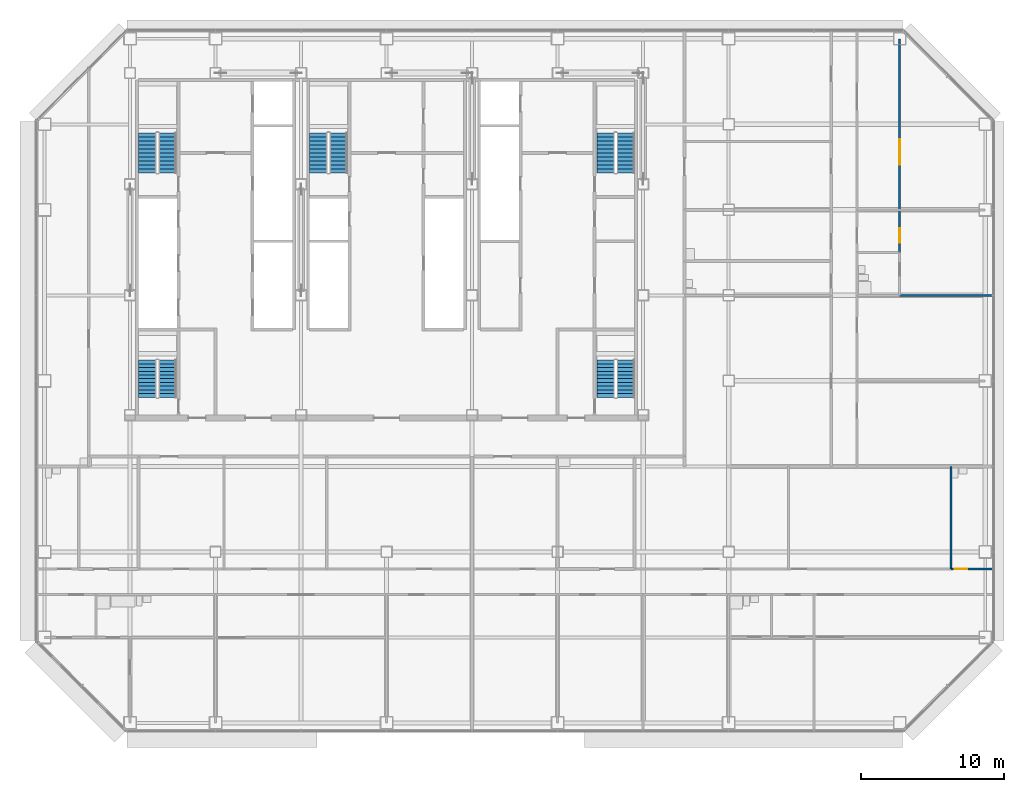
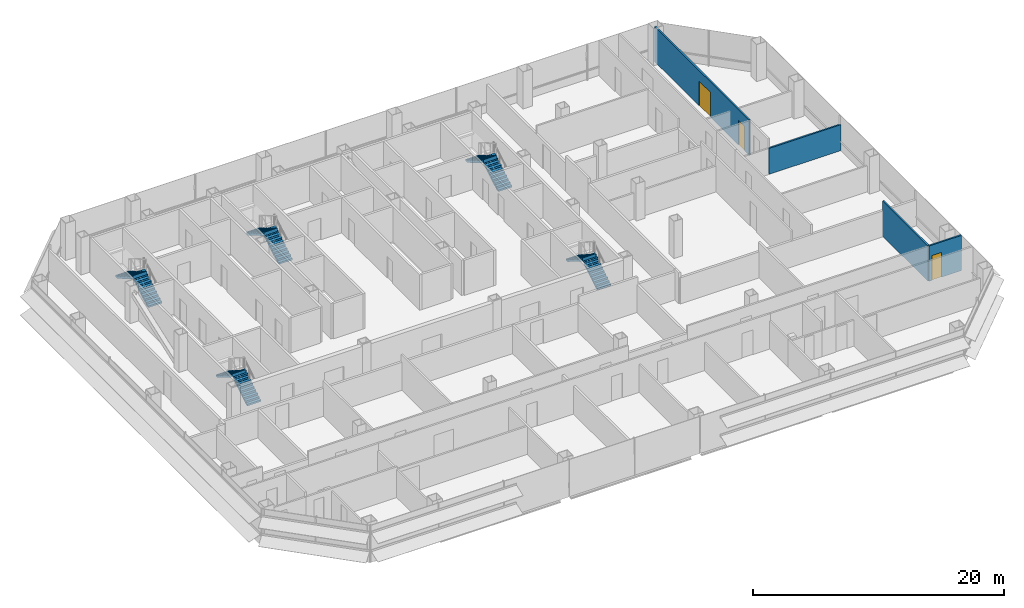
# One storey, part 24 of 27: 10 stair flights, 4 walls, 3 doors, 3 openings, 5 elements without a shape of their own.
"""IFC4 building model written with IfcOpenShell, lengths in metres."""

from ifc_helpers import new_model, si_unit, direction, frame, frame_2d, origin, place, context, subcontext, project, spatial, polyline, rectangle, outline, extrude, material, layer, layer_set, type_object, element, fill, aggregate, save


model = new_model("IFC4")

# Units and contexts
model_context = context("Model", 3, precision=1e-05, world=origin(), true_north=direction((0.0, 1.0)))
body_context = subcontext(model_context, "Body", "Model", "MODEL_VIEW")
ifc_project = project(units=[si_unit("LENGTHUNIT", "METRE"), si_unit("AREAUNIT", "SQUARE_METRE"), si_unit("VOLUMEUNIT", "CUBIC_METRE"), si_unit("PLANEANGLEUNIT", "RADIAN"), si_unit("MASSUNIT", "GRAM", prefix="KILO")], contexts=[model_context])

# Site, building, storey
site_placement = place(None, origin())
site = spatial("IfcSite", under=ifc_project, at=site_placement, CompositionType="ELEMENT")
building_placement = place(site_placement, origin())
building = spatial("IfcBuilding", under=site, at=building_placement, Name="Sorahane Residences", CompositionType="ELEMENT")
storey_placement = place(building_placement, frame((0.0, 0.0, 78.60009765625)))
storey = spatial("IfcBuildingStorey", under=building, at=storey_placement, Name="L16", CompositionType="ELEMENT", Elevation=78.60009765625)

# Wall, openings, doors
ifc_material_1 = material(Name="Gypsum board partition on steel studs", Category="steel")
ifc_layer_1 = layer(ifc_material_1, 0.14990234375)
ifc_layer_set_1 = layer_set([ifc_layer_1], Name="Partition 150 EI 90")
wall_type_1 = type_object("IfcWallType", Name="Partition 150 EI 90", PredefinedType="PARTITIONING", material=ifc_layer_set_1)
wall_1_placement = place(storey_placement, frame((60.0, 33.0, 0.0), z_axis=(0.0, 0.0, 1.0), x_axis=(0.0, 1.0, 0.0)))
wall_1 = element("IfcWall", 1, at=wall_1_placement, inside=storey, type_object=wall_type_1, Name="L16 partition", PredefinedType="PARTITIONING", context=body_context, shape_type="SweptSolid", body=[
    extrude(rectangle(XDim=15.0, YDim=0.14990234375, at=frame_2d((7.5, 0.0))), origin(), (0.0, 0.0, 1.0), 3.419921875),
])
opening_1_placement = place(wall_1_placement, frame((0.699951171875, 0.0, 0.0)))
opening_1 = element("IfcOpeningElement", 2, at=opening_1_placement, cuts=wall_1, Name="Opening L16-35", PredefinedType="OPENING", context=body_context, shape_type="SweptSolid", body=[
    extrude(rectangle(XDim=1.0, YDim=2.39990234375, at=frame_2d((0.5, 1.199951171875))), frame((0.0, 0.0849609375, 0.0), z_axis=(0.0, -1.0, 0.0), x_axis=(1.0, 0.0, 0.0)), (0.0, 0.0, 1.0), 0.169921875),
])
opening_2_placement = place(wall_1_placement, frame((6.159912109375, 0.0, 0.0)))
opening_2 = element("IfcOpeningElement", 3, at=opening_2_placement, cuts=wall_1, Name="Opening L16-37", PredefinedType="OPENING", context=body_context, shape_type="SweptSolid", body=[
    extrude(rectangle(XDim=1.800048828125, YDim=2.39990234375, at=frame_2d((0.89990234375, 1.199951171875))), frame((0.0, 0.0849609375, 0.0), z_axis=(0.0, -1.0, 0.0), x_axis=(1.0, 0.0, 0.0)), (0.0, 0.0, 1.0), 0.169921875),
])
ifc_material_2 = material(Name="Timber veneered fire door", Category="wood")
door_type_1 = type_object("IfcDoorType", Name="Double door 1800x2400 FD30", OperationType="NOTDEFINED", PredefinedType="DOOR", material=ifc_material_2)
door_1_placement = place(opening_2_placement, frame((1.800048828125, 0.0, 0.0), z_axis=(0.0, 0.0, 1.0), x_axis=(-1.0, 0.0, 0.0)))
door_1 = element("IfcDoor", 4, at=door_1_placement, inside=storey, type_object=door_type_1, Name="Double door L16-37", OperationType="SINGLE_SWING_RIGHT", OverallHeight=2.39990234375, OverallWidth=1.800048828125, PredefinedType="DOOR", context=body_context, shape_type="SweptSolid", body=[
    extrude(rectangle(XDim=1.800048828125, YDim=2.39990234375, at=frame_2d((0.89990234375, 1.199951171875))), frame((0.0, 0.02490234375, 0.0), z_axis=(0.0, -1.0, 0.0), x_axis=(1.0, 0.0, 0.0)), (0.0, 0.0, 1.0), 0.050048828125),
])
fill(opening_2, door_1)
ifc_material_3 = material(Name="Timber veneered fire door", Category="wood")
door_type_2 = type_object("IfcDoorType", Name="Room door 1000x2400 FD30", OperationType="NOTDEFINED", PredefinedType="DOOR", material=ifc_material_3)
door_2_placement = place(opening_1_placement, frame((1.0, 0.0, 0.0), z_axis=(0.0, 0.0, 1.0), x_axis=(-1.0, 0.0, 0.0)))
door_2 = element("IfcDoor", 5, at=door_2_placement, inside=storey, type_object=door_type_2, Name="Room door L16-35", OperationType="SINGLE_SWING_LEFT", OverallHeight=2.39990234375, OverallWidth=1.0, PredefinedType="DOOR", context=body_context, shape_type="SweptSolid", body=[
    extrude(rectangle(XDim=1.0, YDim=2.39990234375, at=frame_2d((0.5, 1.199951171875))), frame((0.0, 0.02490234375, 0.0), z_axis=(0.0, -1.0, 0.0), x_axis=(1.0, 0.0, 0.0)), (0.0, 0.0, 1.0), 0.050048828125),
])
fill(opening_1, door_2)

# Walls
wall_2_placement = place(storey_placement, frame((60.0, 30.0, 0.0), z_axis=(0.0, 0.0, 1.0), x_axis=(1.0, 0.0, 0.0)))
element("IfcWall", 6, at=wall_2_placement, inside=storey, type_object=wall_type_1, Name="L16 partition", PredefinedType="PARTITIONING", context=body_context, shape_type="SweptSolid", body=[
    extrude(rectangle(XDim=6.60009765625, YDim=0.14990234375, at=frame_2d((3.300048828125, 0.0))), origin(), (0.0, 0.0, 1.0), 2.52001953125),
])
ifc_material_4 = material(Name="Gypsum board partition on steel studs", Category="steel")
ifc_layer_2 = layer(ifc_material_4, 0.14990234375)
ifc_layer_set_2 = layer_set([ifc_layer_2], Name="Wet wall 150 EI 90")
wall_type_2 = type_object("IfcWallType", Name="Wet wall 150 EI 90", PredefinedType="PARTITIONING", material=ifc_layer_set_2)
wall_3_placement = place(storey_placement, frame((63.60009765625, 10.800048828125, 0.0), z_axis=(0.0, 0.0, 1.0), x_axis=(0.0, 1.0, 0.0)))
element("IfcWall", 7, at=wall_3_placement, inside=storey, type_object=wall_type_2, Name="L16 wet wall", PredefinedType="PARTITIONING", context=body_context, shape_type="SweptSolid", body=[
    extrude(rectangle(XDim=7.199951171875, YDim=0.14990234375, at=frame_2d((3.60009765625, 0.0))), origin(), (0.0, 0.0, 1.0), 3.419921875),
])

# Wall, opening, door
wall_4_placement = place(storey_placement, frame((63.60009765625, 10.800048828125, 0.0), z_axis=(0.0, 0.0, 1.0), x_axis=(1.0, 0.0, 0.0)))
wall_4 = element("IfcWall", 8, at=wall_4_placement, inside=storey, type_object=wall_type_2, Name="L16 wet wall", PredefinedType="PARTITIONING", context=body_context, shape_type="SweptSolid", body=[
    extrude(rectangle(XDim=3.0, YDim=0.14990234375, at=frame_2d((1.5, 0.0))), origin(), (0.0, 0.0, 1.0), 3.419921875),
])
opening_3_placement = place(wall_4_placement, frame((0.25, 0.0, 0.0)))
opening_3 = element("IfcOpeningElement", 9, at=opening_3_placement, cuts=wall_4, Name="Opening L16-17", PredefinedType="OPENING", context=body_context, shape_type="SweptSolid", body=[
    extrude(rectangle(XDim=0.89990234375, YDim=2.39990234375, at=frame_2d((0.449951171875, 1.199951171875))), frame((0.0, 0.0849609375, 0.0), z_axis=(0.0, -1.0, 0.0), x_axis=(1.0, 0.0, 0.0)), (0.0, 0.0, 1.0), 0.169921875),
])
ifc_material_5 = material(Name="Timber veneered fire door", Category="wood")
door_type_3 = type_object("IfcDoorType", Name="Bathroom door 900x2400 FD30", OperationType="NOTDEFINED", PredefinedType="DOOR", material=ifc_material_5)
door_3_placement = place(opening_3_placement, frame((0.89990234375, 0.0, 0.0), z_axis=(0.0, 0.0, 1.0), x_axis=(-1.0, 0.0, 0.0)))
door_3 = element("IfcDoor", 10, at=door_3_placement, inside=storey, type_object=door_type_3, Name="Bathroom door L16-17", OperationType="SINGLE_SWING_LEFT", OverallHeight=2.39990234375, OverallWidth=0.89990234375, PredefinedType="DOOR", context=body_context, shape_type="SweptSolid", body=[
    extrude(rectangle(XDim=0.89990234375, YDim=2.39990234375, at=frame_2d((0.449951171875, 1.199951171875))), frame((0.0, 0.02490234375, 0.0), z_axis=(0.0, -1.0, 0.0), x_axis=(1.0, 0.0, 0.0)), (0.0, 0.0, 1.0), 0.050048828125),
])
fill(opening_3, door_3)

# Stair, stair flights
ifc_material_6 = material(Name="Concrete C40", Category="concrete")
stair_type = type_object("IfcStairType", Name="Dog-leg stair 1250 Concrete C40", PredefinedType="HALF_TURN_STAIR", material=ifc_material_6)
stair_1_placement = place(storey_placement, origin())
stair_1 = element("IfcStair", 11, at=stair_1_placement, inside=storey, type_object=stair_type, Name="L16 Stair S1", PredefinedType="HALF_TURN_STAIR")
ifc_material_7 = material(Name="Concrete C40", Category="concrete")
stair_flight_type = type_object("IfcStairFlightType", Name="Stair flight 1250 Concrete C40", PredefinedType="STRAIGHT", material=ifc_material_7)
stair_flight_1_placement = place(storey_placement, frame((8.625, 38.60009765625, 0.0), z_axis=(0.0, 0.0, 1.0), x_axis=(0.0, 1.0, 0.0)))
stair_flight_1 = element("IfcStairFlight", 12, at=stair_flight_1_placement, type_object=stair_flight_type, Name="S1 flight 1", NumberOfRisers=11, NumberOfTreads=10, PredefinedType="STRAIGHT", RiserHeight=0.163636364, TreadLength=0.28, context=body_context, shape_type="SweptSolid", body=[
    extrude(outline(polyline([(-0.00146484375, 0.0), (-0.00146484375, 0.16357421875), (0.0, 0.16357421875), (0.280029296875, 0.16357421875), (0.280029296875, 0.327392578125), (0.56005859375, 0.327392578125), (0.56005859375, 0.490966796875), (0.840087890625, 0.490966796875), (0.840087890625, 0.654541015625), (1.1201171875, 0.654541015625), (1.1201171875, 0.818115234375), (1.39990234375, 0.818115234375), (1.39990234375, 0.98193359375), (1.679931640625, 0.98193359375), (1.679931640625, 1.1455078125), (1.9599609375, 1.1455078125), (1.9599609375, 1.30908203125), (2.239990234375, 1.30908203125), (2.239990234375, 1.47265625), (2.52001953125, 1.47265625), (2.52001953125, 1.636474609375), (2.800048828125, 1.636474609375), (2.800048828125, 1.800048828125), (2.800048828125, 1.462646484375), (2.59130859375, 1.3408203125), (2.3828125, 1.218994140625), (2.17431640625, 1.09716796875), (1.965576171875, 0.97509765625), (1.757080078125, 0.853271484375), (1.548583984375, 0.7314453125), (1.340087890625, 0.609375), (1.13134765625, 0.487548828125), (0.9228515625, 0.36572265625), (0.71435546875, 0.243896484375), (0.505615234375, 0.121826171875), (0.297119140625, 0.0), (-0.00146484375, 0.0)])), frame((0.0, 0.625, 0.0), z_axis=(0.0, -1.0, 0.0), x_axis=(1.0, 0.0, 0.0)), (0.0, 0.0, 1.0), 1.25),
])
stair_flight_2_placement = place(storey_placement, frame((7.22509765625, 41.39990234375, 1.7998046875), z_axis=(0.0, 0.0, 1.0), x_axis=(0.0, -1.0, 0.0)))
stair_flight_2 = element("IfcStairFlight", 13, at=stair_flight_2_placement, type_object=stair_flight_type, Name="S1 flight 2", NumberOfRisers=11, NumberOfTreads=10, PredefinedType="STRAIGHT", RiserHeight=0.163636364, TreadLength=0.28, context=body_context, shape_type="SweptSolid", body=[
    extrude(outline(polyline([(0.0, 0.0), (0.0, 0.16357421875), (0.280029296875, 0.16357421875), (0.280029296875, 0.327392578125), (0.56005859375, 0.327392578125), (0.56005859375, 0.490966796875), (0.840087890625, 0.490966796875), (0.840087890625, 0.654541015625), (1.1201171875, 0.654541015625), (1.1201171875, 0.818115234375), (1.39990234375, 0.818115234375), (1.39990234375, 0.98193359375), (1.679931640625, 0.98193359375), (1.679931640625, 1.1455078125), (1.9599609375, 1.1455078125), (1.9599609375, 1.30908203125), (2.239990234375, 1.30908203125), (2.239990234375, 1.47265625), (2.52001953125, 1.47265625), (2.52001953125, 1.636474609375), (2.800048828125, 1.636474609375), (2.800048828125, 1.800048828125), (2.801513671875, 1.800048828125), (2.801513671875, 1.462646484375), (2.5927734375, 1.3408203125), (2.384033203125, 1.218994140625), (2.17529296875, 1.09716796875), (1.966796875, 0.97509765625), (1.758056640625, 0.853271484375), (1.54931640625, 0.7314453125), (1.340576171875, 0.609375), (1.1318359375, 0.487548828125), (0.923095703125, 0.36572265625), (0.714599609375, 0.243896484375), (0.505859375, 0.121826171875), (0.297119140625, 0.0), (0.0, 0.0)])), frame((0.0, 0.625, 0.0), z_axis=(0.0, -1.0, 0.0), x_axis=(1.0, 0.0, 0.0)), (0.0, 0.0, 1.0), 1.25),
])
aggregate(stair_1, [stair_flight_1, stair_flight_2])

stair_2_placement = place(storey_placement, origin())
stair_2 = element("IfcStair", 14, at=stair_2_placement, inside=storey, type_object=stair_type, Name="L16 Stair S2", PredefinedType="HALF_TURN_STAIR")
stair_flight_3_placement = place(storey_placement, frame((40.77490234375, 38.60009765625, 0.0), z_axis=(0.0, 0.0, 1.0), x_axis=(0.0, 1.0, 0.0)))
stair_flight_3 = element("IfcStairFlight", 15, at=stair_flight_3_placement, type_object=stair_flight_type, Name="S2 flight 1", NumberOfRisers=11, NumberOfTreads=10, PredefinedType="STRAIGHT", RiserHeight=0.163636364, TreadLength=0.28, context=body_context, shape_type="SweptSolid", body=[
    extrude(outline(polyline([(-0.00146484375, 0.0), (-0.00146484375, 0.16357421875), (0.0, 0.16357421875), (0.280029296875, 0.16357421875), (0.280029296875, 0.327392578125), (0.56005859375, 0.327392578125), (0.56005859375, 0.490966796875), (0.840087890625, 0.490966796875), (0.840087890625, 0.654541015625), (1.1201171875, 0.654541015625), (1.1201171875, 0.818115234375), (1.39990234375, 0.818115234375), (1.39990234375, 0.98193359375), (1.679931640625, 0.98193359375), (1.679931640625, 1.1455078125), (1.9599609375, 1.1455078125), (1.9599609375, 1.30908203125), (2.239990234375, 1.30908203125), (2.239990234375, 1.47265625), (2.52001953125, 1.47265625), (2.52001953125, 1.636474609375), (2.800048828125, 1.636474609375), (2.800048828125, 1.800048828125), (2.800048828125, 1.462646484375), (2.59130859375, 1.3408203125), (2.3828125, 1.218994140625), (2.17431640625, 1.09716796875), (1.965576171875, 0.97509765625), (1.757080078125, 0.853271484375), (1.548583984375, 0.7314453125), (1.340087890625, 0.609375), (1.13134765625, 0.487548828125), (0.9228515625, 0.36572265625), (0.71435546875, 0.243896484375), (0.505615234375, 0.121826171875), (0.297119140625, 0.0), (-0.00146484375, 0.0)])), frame((0.0, 0.625, 0.0), z_axis=(0.0, -1.0, 0.0), x_axis=(1.0, 0.0, 0.0)), (0.0, 0.0, 1.0), 1.25),
])
stair_flight_4_placement = place(storey_placement, frame((39.375, 41.39990234375, 1.7998046875), z_axis=(0.0, 0.0, 1.0), x_axis=(0.0, -1.0, 0.0)))
stair_flight_4 = element("IfcStairFlight", 16, at=stair_flight_4_placement, type_object=stair_flight_type, Name="S2 flight 2", NumberOfRisers=11, NumberOfTreads=10, PredefinedType="STRAIGHT", RiserHeight=0.163636364, TreadLength=0.28, context=body_context, shape_type="SweptSolid", body=[
    extrude(outline(polyline([(0.0, 0.0), (0.0, 0.16357421875), (0.280029296875, 0.16357421875), (0.280029296875, 0.327392578125), (0.56005859375, 0.327392578125), (0.56005859375, 0.490966796875), (0.840087890625, 0.490966796875), (0.840087890625, 0.654541015625), (1.1201171875, 0.654541015625), (1.1201171875, 0.818115234375), (1.39990234375, 0.818115234375), (1.39990234375, 0.98193359375), (1.679931640625, 0.98193359375), (1.679931640625, 1.1455078125), (1.9599609375, 1.1455078125), (1.9599609375, 1.30908203125), (2.239990234375, 1.30908203125), (2.239990234375, 1.47265625), (2.52001953125, 1.47265625), (2.52001953125, 1.636474609375), (2.800048828125, 1.636474609375), (2.800048828125, 1.800048828125), (2.801513671875, 1.800048828125), (2.801513671875, 1.462646484375), (2.5927734375, 1.3408203125), (2.384033203125, 1.218994140625), (2.17529296875, 1.09716796875), (1.966796875, 0.97509765625), (1.758056640625, 0.853271484375), (1.54931640625, 0.7314453125), (1.340576171875, 0.609375), (1.1318359375, 0.487548828125), (0.923095703125, 0.36572265625), (0.714599609375, 0.243896484375), (0.505859375, 0.121826171875), (0.297119140625, 0.0), (0.0, 0.0)])), frame((0.0, 0.625, 0.0), z_axis=(0.0, -1.0, 0.0), x_axis=(1.0, 0.0, 0.0)), (0.0, 0.0, 1.0), 1.25),
])
aggregate(stair_2, [stair_flight_3, stair_flight_4])

stair_3_placement = place(storey_placement, origin())
stair_3 = element("IfcStair", 17, at=stair_3_placement, inside=storey, type_object=stair_type, Name="L16 Stair S3", PredefinedType="HALF_TURN_STAIR")
stair_flight_5_placement = place(storey_placement, frame((20.625, 38.60009765625, 0.0), z_axis=(0.0, 0.0, 1.0), x_axis=(0.0, 1.0, 0.0)))
stair_flight_5 = element("IfcStairFlight", 18, at=stair_flight_5_placement, type_object=stair_flight_type, Name="S3 flight 1", NumberOfRisers=11, NumberOfTreads=10, PredefinedType="STRAIGHT", RiserHeight=0.163636364, TreadLength=0.28, context=body_context, shape_type="SweptSolid", body=[
    extrude(outline(polyline([(-0.00146484375, 0.0), (-0.00146484375, 0.16357421875), (0.0, 0.16357421875), (0.280029296875, 0.16357421875), (0.280029296875, 0.327392578125), (0.56005859375, 0.327392578125), (0.56005859375, 0.490966796875), (0.840087890625, 0.490966796875), (0.840087890625, 0.654541015625), (1.1201171875, 0.654541015625), (1.1201171875, 0.818115234375), (1.39990234375, 0.818115234375), (1.39990234375, 0.98193359375), (1.679931640625, 0.98193359375), (1.679931640625, 1.1455078125), (1.9599609375, 1.1455078125), (1.9599609375, 1.30908203125), (2.239990234375, 1.30908203125), (2.239990234375, 1.47265625), (2.52001953125, 1.47265625), (2.52001953125, 1.636474609375), (2.800048828125, 1.636474609375), (2.800048828125, 1.800048828125), (2.800048828125, 1.462646484375), (2.59130859375, 1.3408203125), (2.3828125, 1.218994140625), (2.17431640625, 1.09716796875), (1.965576171875, 0.97509765625), (1.757080078125, 0.853271484375), (1.548583984375, 0.7314453125), (1.340087890625, 0.609375), (1.13134765625, 0.487548828125), (0.9228515625, 0.36572265625), (0.71435546875, 0.243896484375), (0.505615234375, 0.121826171875), (0.297119140625, 0.0), (-0.00146484375, 0.0)])), frame((0.0, 0.625, 0.0), z_axis=(0.0, -1.0, 0.0), x_axis=(1.0, 0.0, 0.0)), (0.0, 0.0, 1.0), 1.25),
])
stair_flight_6_placement = place(storey_placement, frame((19.22509765625, 41.39990234375, 1.7998046875), z_axis=(0.0, 0.0, 1.0), x_axis=(0.0, -1.0, 0.0)))
stair_flight_6 = element("IfcStairFlight", 19, at=stair_flight_6_placement, type_object=stair_flight_type, Name="S3 flight 2", NumberOfRisers=11, NumberOfTreads=10, PredefinedType="STRAIGHT", RiserHeight=0.163636364, TreadLength=0.28, context=body_context, shape_type="SweptSolid", body=[
    extrude(outline(polyline([(0.0, 0.0), (0.0, 0.16357421875), (0.280029296875, 0.16357421875), (0.280029296875, 0.327392578125), (0.56005859375, 0.327392578125), (0.56005859375, 0.490966796875), (0.840087890625, 0.490966796875), (0.840087890625, 0.654541015625), (1.1201171875, 0.654541015625), (1.1201171875, 0.818115234375), (1.39990234375, 0.818115234375), (1.39990234375, 0.98193359375), (1.679931640625, 0.98193359375), (1.679931640625, 1.1455078125), (1.9599609375, 1.1455078125), (1.9599609375, 1.30908203125), (2.239990234375, 1.30908203125), (2.239990234375, 1.47265625), (2.52001953125, 1.47265625), (2.52001953125, 1.636474609375), (2.800048828125, 1.636474609375), (2.800048828125, 1.800048828125), (2.801513671875, 1.800048828125), (2.801513671875, 1.462646484375), (2.5927734375, 1.3408203125), (2.384033203125, 1.218994140625), (2.17529296875, 1.09716796875), (1.966796875, 0.97509765625), (1.758056640625, 0.853271484375), (1.54931640625, 0.7314453125), (1.340576171875, 0.609375), (1.1318359375, 0.487548828125), (0.923095703125, 0.36572265625), (0.714599609375, 0.243896484375), (0.505859375, 0.121826171875), (0.297119140625, 0.0), (0.0, 0.0)])), frame((0.0, 0.625, 0.0), z_axis=(0.0, -1.0, 0.0), x_axis=(1.0, 0.0, 0.0)), (0.0, 0.0, 1.0), 1.25),
])
aggregate(stair_3, [stair_flight_5, stair_flight_6])

stair_4_placement = place(storey_placement, origin())
stair_4 = element("IfcStair", 20, at=stair_4_placement, inside=storey, type_object=stair_type, Name="L16 Stair S4", PredefinedType="HALF_TURN_STAIR")
stair_flight_7_placement = place(storey_placement, frame((8.625, 22.85009765625, 0.0), z_axis=(0.0, 0.0, 1.0), x_axis=(0.0, 1.0, 0.0)))
stair_flight_7 = element("IfcStairFlight", 21, at=stair_flight_7_placement, type_object=stair_flight_type, Name="S4 flight 1", NumberOfRisers=11, NumberOfTreads=10, PredefinedType="STRAIGHT", RiserHeight=0.163636364, TreadLength=0.26, context=body_context, shape_type="SweptSolid", body=[
    extrude(outline(polyline([(-0.00146484375, 0.0), (-0.00146484375, 0.16357421875), (0.0, 0.16357421875), (0.260009765625, 0.16357421875), (0.260009765625, 0.327392578125), (0.52001953125, 0.327392578125), (0.52001953125, 0.490966796875), (0.780029296875, 0.490966796875), (0.780029296875, 0.654541015625), (1.0400390625, 0.654541015625), (1.0400390625, 0.818115234375), (1.300048828125, 0.818115234375), (1.300048828125, 0.98193359375), (1.56005859375, 0.98193359375), (1.56005859375, 1.1455078125), (1.820068359375, 1.1455078125), (1.820068359375, 1.30908203125), (2.080078125, 1.30908203125), (2.080078125, 1.47265625), (2.340087890625, 1.47265625), (2.340087890625, 1.636474609375), (2.60009765625, 1.636474609375), (2.60009765625, 1.800048828125), (2.60009765625, 1.494384765625), (2.402099609375, 1.369873046875), (2.204345703125, 1.245361328125), (2.00634765625, 1.120849609375), (1.80859375, 0.996337890625), (1.610595703125, 0.871826171875), (1.412841796875, 0.747314453125), (1.21484375, 0.622802734375), (1.01708984375, 0.498046875), (0.819091796875, 0.37353515625), (0.621337890625, 0.2490234375), (0.42333984375, 0.12451171875), (0.2255859375, 0.0), (-0.00146484375, 0.0)])), frame((0.0, 0.625, 0.0), z_axis=(0.0, -1.0, 0.0), x_axis=(1.0, 0.0, 0.0)), (0.0, 0.0, 1.0), 1.25),
])
stair_flight_8_placement = place(storey_placement, frame((7.22509765625, 25.449951171875, 1.7998046875), z_axis=(0.0, 0.0, 1.0), x_axis=(0.0, -1.0, 0.0)))
stair_flight_8 = element("IfcStairFlight", 22, at=stair_flight_8_placement, type_object=stair_flight_type, Name="S4 flight 2", NumberOfRisers=11, NumberOfTreads=10, PredefinedType="STRAIGHT", RiserHeight=0.163636364, TreadLength=0.26, context=body_context, shape_type="SweptSolid", body=[
    extrude(outline(polyline([(0.0, 0.0), (0.0, 0.16357421875), (0.260009765625, 0.16357421875), (0.260009765625, 0.327392578125), (0.52001953125, 0.327392578125), (0.52001953125, 0.490966796875), (0.780029296875, 0.490966796875), (0.780029296875, 0.654541015625), (1.0400390625, 0.654541015625), (1.0400390625, 0.818115234375), (1.300048828125, 0.818115234375), (1.300048828125, 0.98193359375), (1.56005859375, 0.98193359375), (1.56005859375, 1.1455078125), (1.820068359375, 1.1455078125), (1.820068359375, 1.30908203125), (2.080078125, 1.30908203125), (2.080078125, 1.47265625), (2.340087890625, 1.47265625), (2.340087890625, 1.636474609375), (2.60009765625, 1.636474609375), (2.60009765625, 1.800048828125), (2.6015625, 1.800048828125), (2.6015625, 1.494384765625), (2.403564453125, 1.369873046875), (2.20556640625, 1.245361328125), (2.007568359375, 1.120849609375), (1.8095703125, 0.996337890625), (1.611572265625, 0.871826171875), (1.41357421875, 0.747314453125), (1.215576171875, 0.622802734375), (1.017578125, 0.498046875), (0.819580078125, 0.37353515625), (0.62158203125, 0.2490234375), (0.423583984375, 0.12451171875), (0.2255859375, 0.0), (0.0, 0.0)])), frame((0.0, 0.625, 0.0), z_axis=(0.0, -1.0, 0.0), x_axis=(1.0, 0.0, 0.0)), (0.0, 0.0, 1.0), 1.25),
])
aggregate(stair_4, [stair_flight_7, stair_flight_8])

stair_5_placement = place(storey_placement, origin())
stair_5 = element("IfcStair", 23, at=stair_5_placement, inside=storey, type_object=stair_type, Name="L16 Stair S5", PredefinedType="HALF_TURN_STAIR")
stair_flight_9_placement = place(storey_placement, frame((40.77490234375, 22.85009765625, 0.0), z_axis=(0.0, 0.0, 1.0), x_axis=(0.0, 1.0, 0.0)))
stair_flight_9 = element("IfcStairFlight", 24, at=stair_flight_9_placement, type_object=stair_flight_type, Name="S5 flight 1", NumberOfRisers=11, NumberOfTreads=10, PredefinedType="STRAIGHT", RiserHeight=0.163636364, TreadLength=0.26, context=body_context, shape_type="SweptSolid", body=[
    extrude(outline(polyline([(-0.00146484375, 0.0), (-0.00146484375, 0.16357421875), (0.0, 0.16357421875), (0.260009765625, 0.16357421875), (0.260009765625, 0.327392578125), (0.52001953125, 0.327392578125), (0.52001953125, 0.490966796875), (0.780029296875, 0.490966796875), (0.780029296875, 0.654541015625), (1.0400390625, 0.654541015625), (1.0400390625, 0.818115234375), (1.300048828125, 0.818115234375), (1.300048828125, 0.98193359375), (1.56005859375, 0.98193359375), (1.56005859375, 1.1455078125), (1.820068359375, 1.1455078125), (1.820068359375, 1.30908203125), (2.080078125, 1.30908203125), (2.080078125, 1.47265625), (2.340087890625, 1.47265625), (2.340087890625, 1.636474609375), (2.60009765625, 1.636474609375), (2.60009765625, 1.800048828125), (2.60009765625, 1.494384765625), (2.402099609375, 1.369873046875), (2.204345703125, 1.245361328125), (2.00634765625, 1.120849609375), (1.80859375, 0.996337890625), (1.610595703125, 0.871826171875), (1.412841796875, 0.747314453125), (1.21484375, 0.622802734375), (1.01708984375, 0.498046875), (0.819091796875, 0.37353515625), (0.621337890625, 0.2490234375), (0.42333984375, 0.12451171875), (0.2255859375, 0.0), (-0.00146484375, 0.0)])), frame((0.0, 0.625, 0.0), z_axis=(0.0, -1.0, 0.0), x_axis=(1.0, 0.0, 0.0)), (0.0, 0.0, 1.0), 1.25),
])
stair_flight_10_placement = place(storey_placement, frame((39.375, 25.449951171875, 1.7998046875), z_axis=(0.0, 0.0, 1.0), x_axis=(0.0, -1.0, 0.0)))
stair_flight_10 = element("IfcStairFlight", 25, at=stair_flight_10_placement, type_object=stair_flight_type, Name="S5 flight 2", NumberOfRisers=11, NumberOfTreads=10, PredefinedType="STRAIGHT", RiserHeight=0.163636364, TreadLength=0.26, context=body_context, shape_type="SweptSolid", body=[
    extrude(outline(polyline([(0.0, 0.0), (0.0, 0.16357421875), (0.260009765625, 0.16357421875), (0.260009765625, 0.327392578125), (0.52001953125, 0.327392578125), (0.52001953125, 0.490966796875), (0.780029296875, 0.490966796875), (0.780029296875, 0.654541015625), (1.0400390625, 0.654541015625), (1.0400390625, 0.818115234375), (1.300048828125, 0.818115234375), (1.300048828125, 0.98193359375), (1.56005859375, 0.98193359375), (1.56005859375, 1.1455078125), (1.820068359375, 1.1455078125), (1.820068359375, 1.30908203125), (2.080078125, 1.30908203125), (2.080078125, 1.47265625), (2.340087890625, 1.47265625), (2.340087890625, 1.636474609375), (2.60009765625, 1.636474609375), (2.60009765625, 1.800048828125), (2.6015625, 1.800048828125), (2.6015625, 1.494384765625), (2.403564453125, 1.369873046875), (2.20556640625, 1.245361328125), (2.007568359375, 1.120849609375), (1.8095703125, 0.996337890625), (1.611572265625, 0.871826171875), (1.41357421875, 0.747314453125), (1.215576171875, 0.622802734375), (1.017578125, 0.498046875), (0.819580078125, 0.37353515625), (0.62158203125, 0.2490234375), (0.423583984375, 0.12451171875), (0.2255859375, 0.0), (0.0, 0.0)])), frame((0.0, 0.625, 0.0), z_axis=(0.0, -1.0, 0.0), x_axis=(1.0, 0.0, 0.0)), (0.0, 0.0, 1.0), 1.25),
])
aggregate(stair_5, [stair_flight_9, stair_flight_10])

save(model, "model.ifc")
